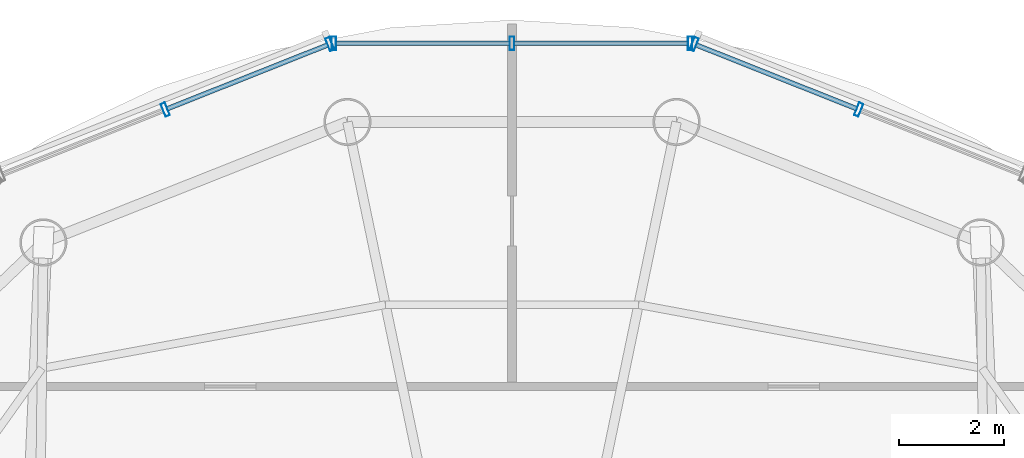
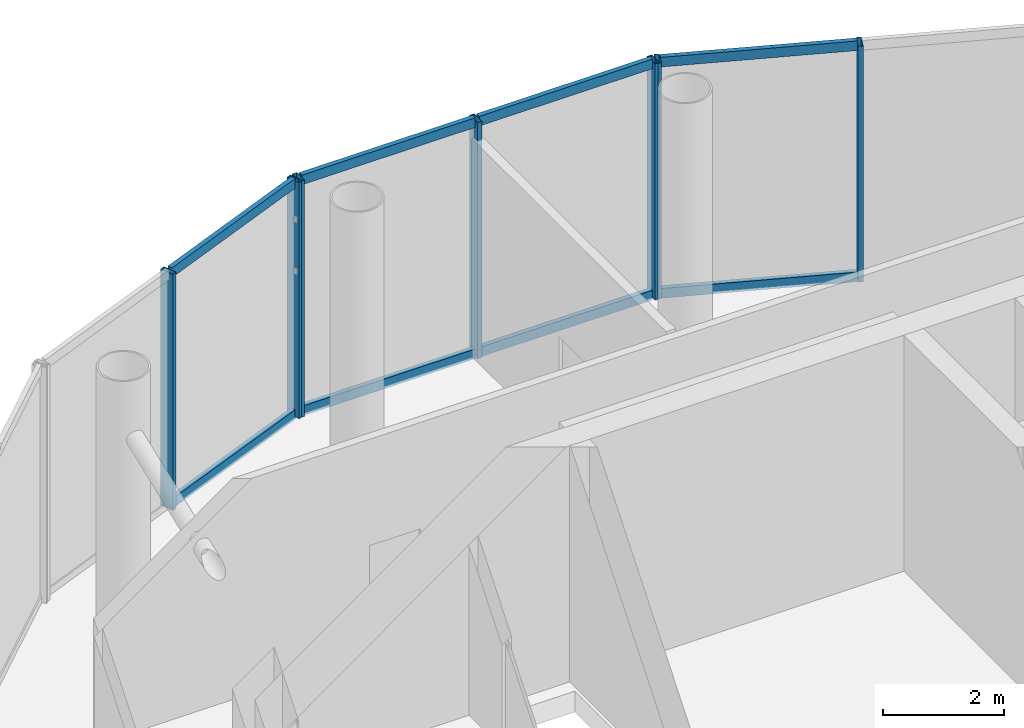
# One storey, part 10 of 15: 15 members, 3 elements without a shape of their own.
"""IFC4 building model written with IfcOpenShell, lengths in metres."""

from ifc_helpers import new_model, si_unit, direction, frame, origin, origin_2d, place, context, subcontext, project, spatial, hollow_rectangle, extrude, source, transform, mapped, material, material_profile, profile_set, type_object, element, aggregate, save


model = new_model("IFC4")

# Units and contexts
model_context = context("Model", 3, precision=1e-05, world=origin(), true_north=direction((-0.2419218956, 0.970295726276)))
body_context = subcontext(model_context, "Body", "Model", "MODEL_VIEW")
ifc_project = project(units=[si_unit("LENGTHUNIT", "METRE"), si_unit("AREAUNIT", "SQUARE_METRE"), si_unit("VOLUMEUNIT", "CUBIC_METRE"), si_unit("PLANEANGLEUNIT", "RADIAN"), si_unit("MASSUNIT", "GRAM", prefix="KILO")], contexts=[model_context])

# Site, building, storey
site_placement = place(None, origin())
site = spatial("IfcSite", under=ifc_project, at=site_placement, CompositionType="ELEMENT")
building_placement = place(site_placement, origin())
building = spatial("IfcBuilding", under=site, at=building_placement, Name="Cobrevalo Terracotta Tower", CompositionType="ELEMENT")
storey_placement = place(building_placement, frame((0.0, 0.0, 311.300048828125)))
storey = spatial("IfcBuildingStorey", under=building, at=storey_placement, Name="L81", CompositionType="ELEMENT", Elevation=311.300048828125)

# Curtain wall, members
ifc_material = material(Name="Anodized aluminium", Category="aluminium")
curtain_wall_type = type_object("IfcCurtainWallType", Name="Faceted glass-point crown structural glazing system CW-CR", PredefinedType="NOTDEFINED", material=ifc_material)
curtain_wall_1_placement = place(storey_placement, origin())
curtain_wall_1 = element("IfcCurtainWall", 1, at=curtain_wall_1_placement, inside=storey, type_object=curtain_wall_type, Name="L81 curtain wall CW-CRN-L81-S03", PredefinedType="NOTDEFINED")
ifc_material_profile_1 = material_profile(ifc_material, hollow_rectangle(XDim=0.090087890625, YDim=0.195068359375, WallThickness=0.005615234375, at=origin_2d()), Name="CWT 90x195")
ifc_profile_set_1 = profile_set([ifc_material_profile_1], Name="Anodized aluminium")
member_type_1 = type_object("IfcMemberType", Name="Crown structural aluminium transom 90x195", PredefinedType="USERDEFINED", material=ifc_profile_set_1)
shared_shape_1 = source(origin(), body_context, "Body", "SweptSolid", [
    extrude(hollow_rectangle(XDim=0.090087890625, YDim=0.195068359375, WallThickness=0.005615234375, at=origin_2d()), origin(), (0.0, 0.0, 1.0), 3.2998046875),
])
member_1_placement = place(storey_placement, frame((44.579833984375, 42.155517578125, 0.050048828125), z_axis=(-0.92917915641, 0.369629673177, 0.0), x_axis=(-0.369629673177, -0.92917915641, 0.0)))
member_1 = element("IfcMember", 2, at=member_1_placement, type_object=member_type_1, Name="CW-CRN-L81-S03 transom B02-T1", ObjectType="TRANSOM", PredefinedType="USERDEFINED", context=body_context, shape_type="MappedRepresentation", body=[
    mapped(shared_shape_1, transform((0.0, 0.0, 0.0), scale=1.0)),
])
member_2_placement = place(storey_placement, frame((44.579833984375, 42.155517578125, 4.72998046875), z_axis=(-0.92917915641, 0.369629673177, 0.0), x_axis=(-0.369629673177, -0.92917915641, 0.0)))
member_2 = element("IfcMember", 3, at=member_2_placement, type_object=member_type_1, Name="CW-CRN-L81-S03 transom B02-T2", ObjectType="TRANSOM", PredefinedType="USERDEFINED", context=body_context, shape_type="MappedRepresentation", body=[
    mapped(shared_shape_1, transform((0.0, 0.0, 0.0), scale=1.0)),
])

curtain_wall_2_placement = place(storey_placement, origin())
curtain_wall_2 = element("IfcCurtainWall", 4, at=curtain_wall_2_placement, inside=storey, type_object=curtain_wall_type, Name="L81 curtain wall CW-CRN-L81-S05", PredefinedType="NOTDEFINED")
member_3_placement = place(storey_placement, frame((34.486328125, 43.375244140625, 0.050048828125), z_axis=(-0.92917915641, -0.369629673177, 0.0), x_axis=(0.369629673177, -0.92917915641, 0.0)))
member_3 = element("IfcMember", 5, at=member_3_placement, type_object=member_type_1, Name="CW-CRN-L81-S05 transom B01-T1", ObjectType="TRANSOM", PredefinedType="USERDEFINED", context=body_context, shape_type="MappedRepresentation", body=[
    mapped(shared_shape_1, transform((0.0, 0.0, 0.0), scale=1.0)),
])
member_4_placement = place(storey_placement, frame((34.486328125, 43.375244140625, 4.72998046875), z_axis=(-0.92917915641, -0.369629673177, 0.0), x_axis=(0.369629673177, -0.92917915641, 0.0)))
member_4 = element("IfcMember", 6, at=member_4_placement, type_object=member_type_1, Name="CW-CRN-L81-S05 transom B01-T2", ObjectType="TRANSOM", PredefinedType="USERDEFINED", context=body_context, shape_type="MappedRepresentation", body=[
    mapped(shared_shape_1, transform((0.0, 0.0, 0.0), scale=1.0)),
])

curtain_wall_3_placement = place(storey_placement, origin())
curtain_wall_3 = element("IfcCurtainWall", 7, at=curtain_wall_3_placement, inside=storey, type_object=curtain_wall_type, Name="L81 curtain wall CW-CRN-L81-S04", PredefinedType="NOTDEFINED")
shared_shape_2 = source(origin(), body_context, "Body", "SweptSolid", [
    extrude(hollow_rectangle(XDim=0.090087890625, YDim=0.195068359375, WallThickness=0.005615234375, at=origin_2d()), origin(), (0.0, 0.0, 1.0), 3.3193359375),
])
member_5_placement = place(storey_placement, frame((41.359375, 43.40478515625, 0.050048828125), z_axis=(-1.0, 0.0, 0.0), x_axis=(0.0, -1.0, 0.0)))
member_5 = element("IfcMember", 8, at=member_5_placement, type_object=member_type_1, Name="CW-CRN-L81-S04 transom B01-T1", ObjectType="TRANSOM", PredefinedType="USERDEFINED", context=body_context, shape_type="MappedRepresentation", body=[
    mapped(shared_shape_2, transform((0.0, 0.0, 0.0), scale=1.0)),
])
member_6_placement = place(storey_placement, frame((41.359375, 43.40478515625, 4.72998046875), z_axis=(-1.0, 0.0, 0.0), x_axis=(0.0, -1.0, 0.0)))
member_6 = element("IfcMember", 9, at=member_6_placement, type_object=member_type_1, Name="CW-CRN-L81-S04 transom B01-T2", ObjectType="TRANSOM", PredefinedType="USERDEFINED", context=body_context, shape_type="MappedRepresentation", body=[
    mapped(shared_shape_2, transform((0.0, 0.0, 0.0), scale=1.0)),
])
member_7_placement = place(storey_placement, frame((37.9599609375, 43.40478515625, 0.050048828125), z_axis=(-1.0, 0.0, 0.0), x_axis=(0.0, -1.0, 0.0)))
member_7 = element("IfcMember", 10, at=member_7_placement, type_object=member_type_1, Name="CW-CRN-L81-S04 transom B02-T1", ObjectType="TRANSOM", PredefinedType="USERDEFINED", context=body_context, shape_type="MappedRepresentation", body=[
    mapped(shared_shape_2, transform((0.0, 0.0, 0.0), scale=1.0)),
])
member_8_placement = place(storey_placement, frame((37.9599609375, 43.40478515625, 4.72998046875), z_axis=(-1.0, 0.0, 0.0), x_axis=(0.0, -1.0, 0.0)))
member_8 = element("IfcMember", 11, at=member_8_placement, type_object=member_type_1, Name="CW-CRN-L81-S04 transom B02-T2", ObjectType="TRANSOM", PredefinedType="USERDEFINED", context=body_context, shape_type="MappedRepresentation", body=[
    mapped(shared_shape_2, transform((0.0, 0.0, 0.0), scale=1.0)),
])

# Member
ifc_material_profile_2 = material_profile(ifc_material, hollow_rectangle(XDim=0.090087890625, YDim=0.260009765625, WallThickness=0.006103515625, at=origin_2d()), Name="CWM 90x260")
ifc_profile_set_2 = profile_set([ifc_material_profile_2], Name="Anodized aluminium")
member_type_2 = type_object("IfcMemberType", Name="Crown structural glass mullion 90x260", PredefinedType="MULLION", material=ifc_profile_set_2)
shared_shape_3 = source(origin(), body_context, "Body", "SweptSolid", [
    extrude(hollow_rectangle(XDim=0.090087890625, YDim=0.260009765625, WallThickness=0.006103515625, at=origin_2d()), origin(), (0.0, 0.0, 1.0), 4.780029296875),
])
member_9_placement = place(storey_placement, frame((44.6171875, 42.140625, 0.0), z_axis=(0.0, 0.0, 1.0), x_axis=(-0.929190639756, 0.36960080491, 0.0)))
member_9 = element("IfcMember", 12, at=member_9_placement, type_object=member_type_2, Name="CW-CRN-L81-S03 vertical mullion 02", PredefinedType="MULLION", context=body_context, shape_type="MappedRepresentation", body=[
    mapped(shared_shape_3, transform((0.0, 0.0, 0.0), scale=1.0)),
])

member_10_placement = place(storey_placement, frame((41.4765625, 43.389892578125, 0.0), z_axis=(0.0, 0.0, 1.0), x_axis=(-0.929190639756, 0.36960080491, 0.0)))
member_10 = element("IfcMember", 13, at=member_10_placement, type_object=member_type_2, Name="CW-CRN-L81-S03 vertical mullion 03", PredefinedType="MULLION", context=body_context, shape_type="MappedRepresentation", body=[
    mapped(shared_shape_3, transform((0.0, 0.0, 0.0), scale=1.0)),
])

aggregate(curtain_wall_1, [member_9, member_10, member_1, member_2])

member_11_placement = place(storey_placement, frame((41.3994140625, 43.40478515625, 0.0), z_axis=(0.0, 0.0, 1.0), x_axis=(-1.0, 0.0, 0.0)))
member_11 = element("IfcMember", 14, at=member_11_placement, type_object=member_type_2, Name="CW-CRN-L81-S04 vertical mullion 01", PredefinedType="MULLION", context=body_context, shape_type="MappedRepresentation", body=[
    mapped(shared_shape_3, transform((0.0, 0.0, 0.0), scale=1.0)),
])

member_12_placement = place(storey_placement, frame((38.0, 43.40478515625, 0.0), z_axis=(0.0, 0.0, 1.0), x_axis=(-1.0, 0.0, 0.0)))
member_12 = element("IfcMember", 15, at=member_12_placement, type_object=member_type_2, Name="CW-CRN-L81-S04 vertical mullion 02", PredefinedType="MULLION", context=body_context, shape_type="MappedRepresentation", body=[
    mapped(shared_shape_3, transform((0.0, 0.0, 0.0), scale=1.0)),
])

member_13_placement = place(storey_placement, frame((34.6005859375, 43.40478515625, 0.0), z_axis=(0.0, 0.0, 1.0), x_axis=(-1.0, 0.0, 0.0)))
member_13 = element("IfcMember", 16, at=member_13_placement, type_object=member_type_2, Name="CW-CRN-L81-S04 vertical mullion 03", PredefinedType="MULLION", context=body_context, shape_type="MappedRepresentation", body=[
    mapped(shared_shape_3, transform((0.0, 0.0, 0.0), scale=1.0)),
])

aggregate(curtain_wall_3, [member_11, member_12, member_13, member_5, member_6, member_7, member_8])

member_14_placement = place(storey_placement, frame((34.5234375, 43.389892578125, 0.0), z_axis=(0.0, 0.0, 1.0), x_axis=(-0.929190639756, -0.36960080491, 0.0)))
member_14 = element("IfcMember", 17, at=member_14_placement, type_object=member_type_2, Name="CW-CRN-L81-S05 vertical mullion 01", PredefinedType="MULLION", context=body_context, shape_type="MappedRepresentation", body=[
    mapped(shared_shape_3, transform((0.0, 0.0, 0.0), scale=1.0)),
])

member_15_placement = place(storey_placement, frame((31.3828125, 42.140625, 0.0), z_axis=(0.0, 0.0, 1.0), x_axis=(-0.929190639756, -0.36960080491, 0.0)))
member_15 = element("IfcMember", 18, at=member_15_placement, type_object=member_type_2, Name="CW-CRN-L81-S05 vertical mullion 02", PredefinedType="MULLION", context=body_context, shape_type="MappedRepresentation", body=[
    mapped(shared_shape_3, transform((0.0, 0.0, 0.0), scale=1.0)),
])

aggregate(curtain_wall_2, [member_14, member_15, member_3, member_4])

save(model, "model.ifc")
